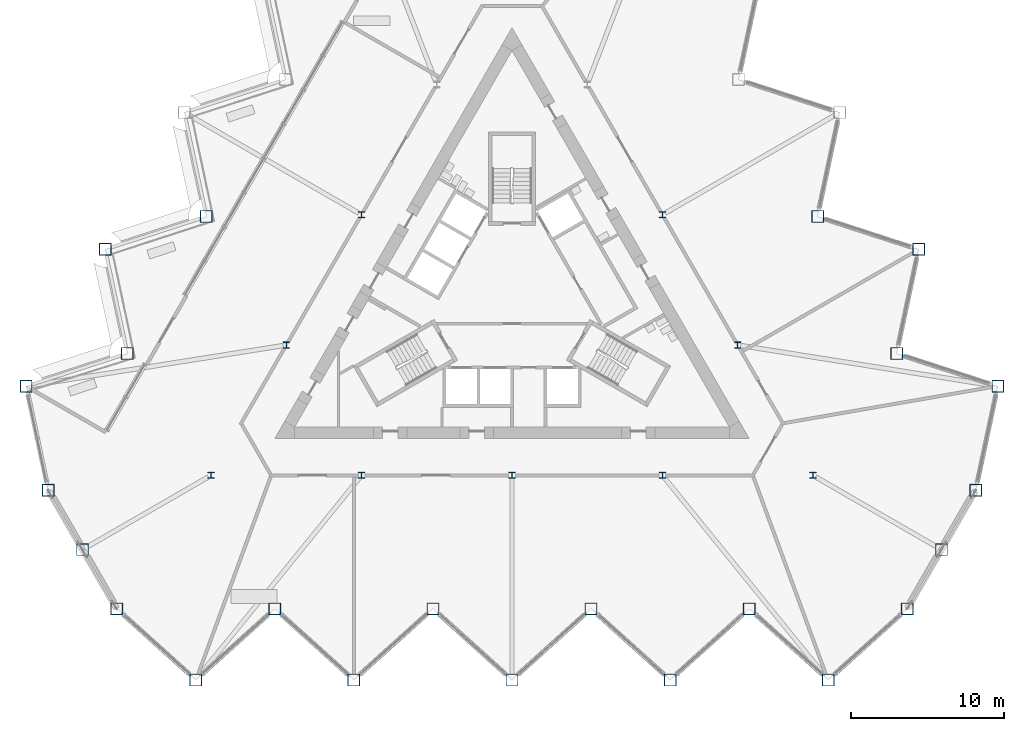
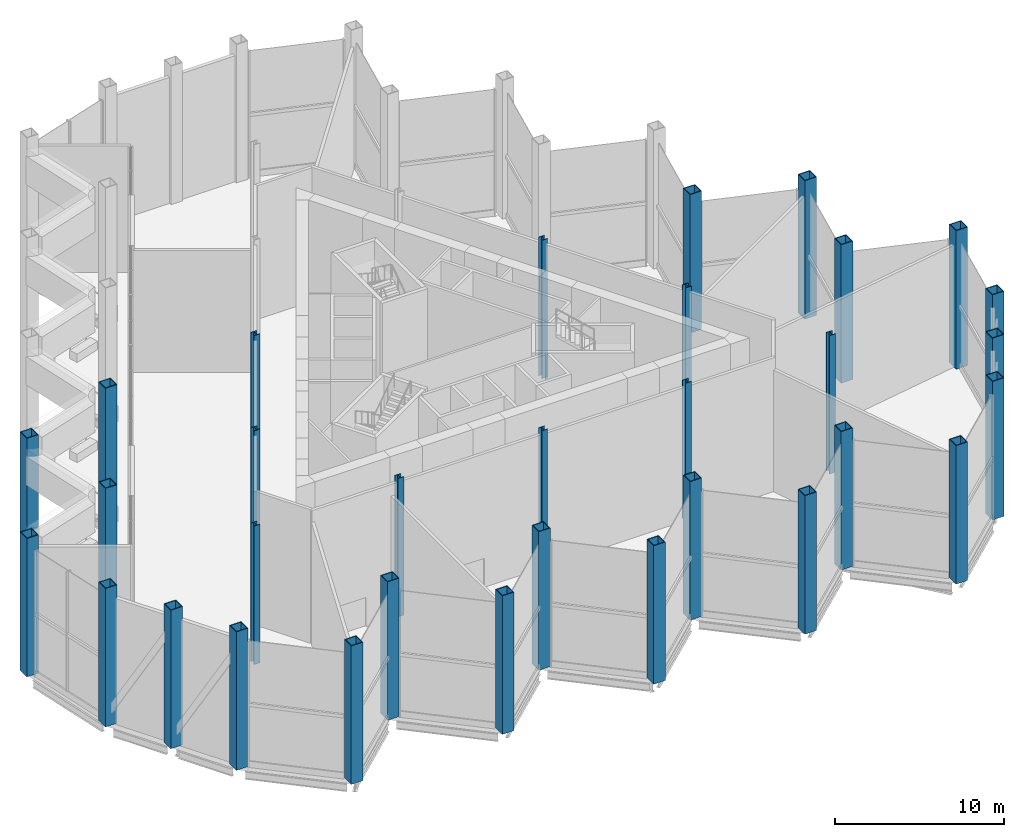
# One storey, part 1 of 18: 32 columns.
"""IFC4 building model written with IfcOpenShell, lengths in metres."""

from ifc_helpers import new_model, si_unit, direction, frame, origin, origin_2d, place, context, subcontext, project, spatial, hollow_rectangle, i_section, extrude, material, material_profile, profile_set, type_object, element, save


model = new_model("IFC4")

# Units and contexts
model_context = context("Model", 3, precision=1e-05, world=origin(), true_north=direction((0.0, 1.0)))
body_context = subcontext(model_context, "Body", "Model", "MODEL_VIEW")
ifc_project = project(units=[si_unit("LENGTHUNIT", "METRE"), si_unit("AREAUNIT", "SQUARE_METRE"), si_unit("VOLUMEUNIT", "CUBIC_METRE"), si_unit("PLANEANGLEUNIT", "RADIAN"), si_unit("MASSUNIT", "GRAM", prefix="KILO")], contexts=[model_context])

# Site, building, storey
site_placement = place(None, origin())
site = spatial("IfcSite", under=ifc_project, at=site_placement, CompositionType="ELEMENT")
building_placement = place(site_placement, origin())
building = spatial("IfcBuilding", under=site, at=building_placement, Name="Cormorant Prow Tower", CompositionType="ELEMENT")
storey_placement = place(building_placement, frame((0.0, 0.0, 216.0)))
storey = spatial("IfcBuildingStorey", under=building, at=storey_placement, Name="L48", CompositionType="ELEMENT", Elevation=216.0)

# Columns
ifc_material_1 = material(Name="Structural steel ASTM A572 Gr 50", Category="steel")
ifc_material_profile_1 = material_profile(ifc_material_1, hollow_rectangle(XDim=0.800048828125, YDim=0.800048828125, WallThickness=0.050048828125, at=origin_2d()), Name="Box 800x800x50")
ifc_profile_set_1 = profile_set([ifc_material_profile_1], Name="Structural steel ASTM A572 Gr 50")
column_type_1 = type_object("IfcColumnType", Name="Perimeter box column 800x800x50", PredefinedType="COLUMN", material=ifc_profile_set_1)
for number, where, z_axis, x_axis, name in (
    (1, (-25.823486328125, -20.0712890625, 0.0), (0.0, 0.0, 1.0), (1.0, 0.0, 0.0), "Perimeter column C4 at S00 L48"),
    (2, (-20.658935546875, -24.7216796875, 0.0), (0.0, 0.0, 1.0), (1.0, 0.0, 0.0), "Perimeter column C4 at S01 L48"),
    (3, (-15.494140625, -20.0712890625, 0.0), (0.0, 0.0, 1.0), (1.0, 0.0, 0.0), "Perimeter column C4 at S02 L48"),
    (4, (-10.329345703125, -24.7216796875, 0.0), (0.0, 0.0, 1.0), (1.0, 0.0, 0.0), "Perimeter column C4 at S03 L48"),
    (5, (-5.164794921875, -20.0712890625, 0.0), (0.0, 0.0, 1.0), (1.0, 0.0, 0.0), "Perimeter column C4 at S04 L48"),
    (6, (0.0, -24.7216796875, 0.0), (0.0, 0.0, 1.0), (1.0, 0.0, 0.0), "Perimeter column C4 at S05 L48"),
    (7, (5.164794921875, -20.0712890625, 0.0), (0.0, 0.0, 1.0), (1.0, 0.0, 0.0), "Perimeter column C4 at S06 L48"),
    (8, (10.329345703125, -24.7216796875, 0.0), (0.0, 0.0, 1.0), (1.0, 0.0, 0.0), "Perimeter column C4 at S07 L48"),
    (9, (15.494140625, -20.0712890625, 0.0), (0.0, 0.0, 1.0), (1.0, 0.0, 0.0), "Perimeter column C4 at S08 L48"),
    (10, (20.658935546875, -24.7216796875, 0.0), (0.0, 0.0, 1.0), (1.0, 0.0, 0.0), "Perimeter column C4 at S09 L48"),
    (11, (25.823486328125, -20.0712890625, 0.0), (0.0, 0.0, 1.0), (1.0, 0.0, 0.0), "Perimeter column C4 at ESE00 L48"),
    (12, (28.058837890625, -16.19970703125, 0.0), (0.0, 0.0, 1.0), (1.0, 0.0, 0.0), "Perimeter column C4 at ESE01 L48"),
    (13, (30.2939453125, -12.328369140625, 0.0), (0.0, 0.0, 1.0), (1.0, 0.0, 0.0), "Perimeter column C4 at ENE00 L48"),
    (14, (31.739013671875, -5.5302734375, 0.0), (0.0, 0.0, 1.0), (1.0, 0.0, 0.0), "Perimeter column C4 at ENE01 L48"),
    (15, (25.12939453125, -3.3828125, 0.0), (0.0, 0.0, 1.0), (1.0, 0.0, 0.0), "Perimeter column C4 at ENE02 L48"),
    (16, (26.57421875, 3.415283203125, 0.0), (0.0, 0.0, 1.0), (1.0, 0.0, 0.0), "Perimeter column C4 at ENE03 L48"),
    (17, (19.964599609375, 5.562744140625, 0.0), (0.0, 0.0, 1.0), (1.0, 0.0, 0.0), "Perimeter column C4 at ENE04 L48"),
    (18, (-19.964599609375, 5.562744140625, 0.0), (0.0, 0.0, 1.0), (1.0, 0.0, 0.0), "Perimeter column C4 at WNW06 L48"),
    (19, (-26.57421875, 3.415283203125, 0.0), (0.0, 0.0, 1.0), (1.0, 0.0, 0.0), "Perimeter column C4 at WNW07 L48"),
    (20, (-25.12939453125, -3.3828125, 0.0), (0.0, 0.0, 1.0), (1.0, 0.0, 0.0), "Perimeter column C4 at WNW08 L48"),
    (21, (-31.739013671875, -5.5302734375, 0.0), (0.0, 0.0, 1.0), (1.0, 0.0, 0.0), "Perimeter column C4 at WNW09 L48"),
    (22, (-30.2939453125, -12.328369140625, 0.0), (0.0, 0.0, 1.0), (1.0, 0.0, 0.0), "Perimeter column C4 at WSW00 L48"),
    (23, (-28.058837890625, -16.19970703125, 0.0), (0.0, 0.0, 1.0), (1.0, 0.0, 0.0), "Perimeter column C4 at WSW01 L48"),
):
    element("IfcColumn", number, at=place(storey_placement, frame(where, z_axis=z_axis, x_axis=x_axis)), inside=storey, type_object=column_type_1, Name=name, PredefinedType="COLUMN", context=body_context, shape_type="SweptSolid", body=[
        extrude(hollow_rectangle(XDim=0.800048828125, YDim=0.800048828125, WallThickness=0.050048828125, at=origin_2d()), origin(), (0.0, 0.0, 1.0), 10.0),
    ])
ifc_material_2 = material(Name="Structural steel ASTM A992 Gr 50", Category="steel")
ifc_material_profile_2 = material_profile(ifc_material_2, i_section(OverallWidth=0.403564453125, OverallDepth=0.407470703125, WebThickness=0.027099609375, FlangeThickness=0.043701171875, at=origin_2d()), Name="W14x233")
ifc_profile_set_2 = profile_set([ifc_material_profile_2], Name="Structural steel ASTM A992 Gr 50")
column_type_2 = type_object("IfcColumnType", Name="Ring column W14x233", PredefinedType="COLUMN", material=ifc_profile_set_2)
for number, where, z_axis, x_axis, name in (
    (24, (-9.828369140625, 5.674560546875, 0.0), (0.0, 0.0, 1.0), (1.0, 0.0, 0.0), "Ring column 3 L48"),
    (25, (-14.74267578125, -2.837158203125, 0.0), (0.0, 0.0, 1.0), (1.0, 0.0, 0.0), "Ring column 4 L48"),
    (26, (-19.656982421875, -11.348876953125, 0.0), (0.0, 0.0, 1.0), (1.0, 0.0, 0.0), "Ring column 5 L48"),
    (27, (-9.828369140625, -11.348876953125, 0.0), (0.0, 0.0, 1.0), (1.0, 0.0, 0.0), "Ring column 6 L48"),
    (28, (0.0, -11.348876953125, 0.0), (0.0, 0.0, 1.0), (1.0, 0.0, 0.0), "Ring column 7 L48"),
    (29, (9.828369140625, -11.348876953125, 0.0), (0.0, 0.0, 1.0), (1.0, 0.0, 0.0), "Ring column 8 L48"),
    (30, (19.656982421875, -11.348876953125, 0.0), (0.0, 0.0, 1.0), (1.0, 0.0, 0.0), "Ring column 9 L48"),
    (31, (14.74267578125, -2.837158203125, 0.0), (0.0, 0.0, 1.0), (1.0, 0.0, 0.0), "Ring column 10 L48"),
    (32, (9.828369140625, 5.674560546875, 0.0), (0.0, 0.0, 1.0), (1.0, 0.0, 0.0), "Ring column 11 L48"),
):
    element("IfcColumn", number, at=place(storey_placement, frame(where, z_axis=z_axis, x_axis=x_axis)), inside=storey, type_object=column_type_2, Name=name, PredefinedType="COLUMN", context=body_context, shape_type="SweptSolid", body=[
        extrude(i_section(OverallWidth=0.403564453125, OverallDepth=0.407470703125, WebThickness=0.027099609375, FlangeThickness=0.043701171875, at=origin_2d()), origin(), (0.0, 0.0, 1.0), 10.0),
    ])

save(model, "model.ifc")
